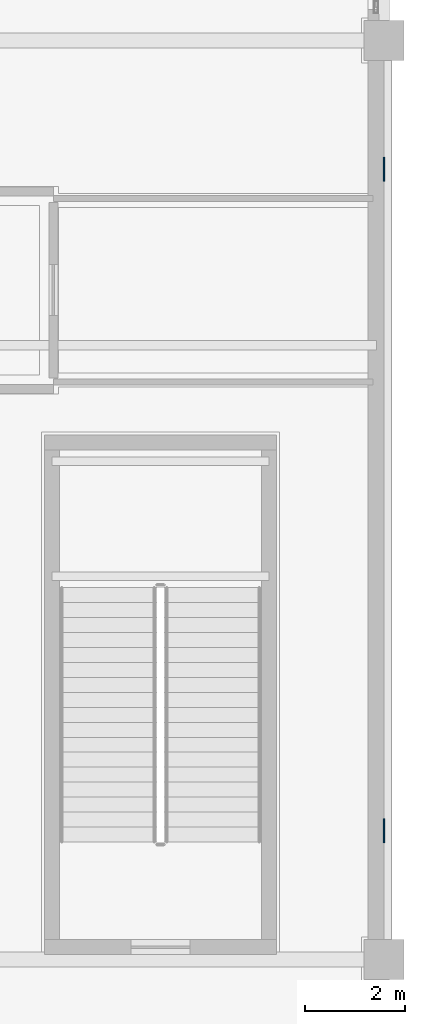
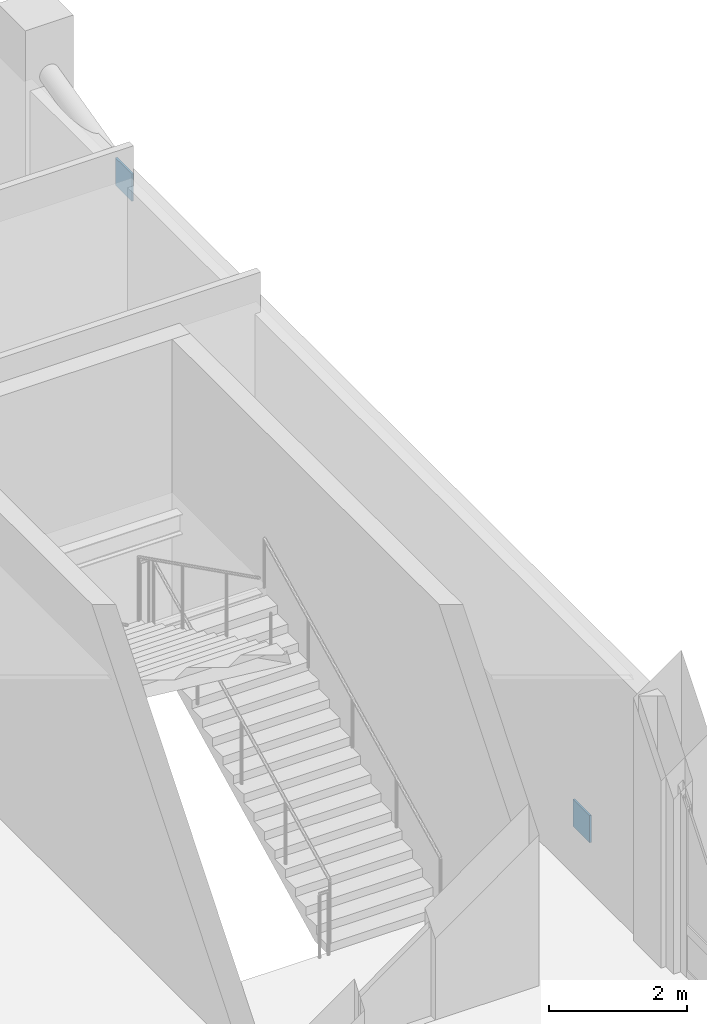
# One storey, part 22 of 35: 2 plates.
"""IFC4 building model written with IfcOpenShell, lengths in metres."""

from ifc_helpers import new_model, si_unit, direction, frame, origin, origin_2d, place, context, subcontext, project, spatial, rectangle, extrude, material, layer, layer_set, type_object, element, save


model = new_model("IFC4")

# Units and contexts
model_context = context("Model", 3, precision=1e-05, world=origin(), true_north=direction((0.0, 1.0)))
body_context = subcontext(model_context, "Body", "Model", "MODEL_VIEW")
ifc_project = project(units=[si_unit("LENGTHUNIT", "METRE"), si_unit("AREAUNIT", "SQUARE_METRE"), si_unit("VOLUMEUNIT", "CUBIC_METRE"), si_unit("PLANEANGLEUNIT", "RADIAN"), si_unit("MASSUNIT", "GRAM", prefix="KILO")], contexts=[model_context])

# Site, building, storey
site_placement = place(None, origin())
site = spatial("IfcSite", under=ifc_project, at=site_placement, CompositionType="ELEMENT")
building_placement = place(site_placement, origin())
building = spatial("IfcBuilding", under=site, at=building_placement, Name="Punatoya Terracotta Tower", CompositionType="ELEMENT")
storey_placement = place(building_placement, frame((0.0, 0.0, 16.800048828125)))
storey = spatial("IfcBuildingStorey", under=building, at=storey_placement, Name="L03", CompositionType="ELEMENT", Elevation=16.800048828125)

# Plates
ifc_material = material(Name="Steel S460", Category="steel")
ifc_layer = layer(ifc_material, 0.031982421875)
ifc_layer_set = layer_set([ifc_layer], Name="Steel S460")
plate_type = type_object("IfcPlateType", Name="PLT-END-32", PredefinedType="USERDEFINED", material=ifc_layer_set)
for number, where, z_axis, x_axis, name in (
    (1, (37.0, -6.6240234375, 0.421142578125), (0.0, 0.0, 1.0), (1.0, 0.0, 0.0), "L03 Podium Brace PBR-2 End Connection Plate 1"),
    (2, (37.0, 6.6240234375, 3.71875), (0.0, 0.0, 1.0), (1.0, 0.0, 0.0), "L03 Podium Brace PBR-2 End Connection Plate 2"),
):
    element("IfcPlate", number, at=place(storey_placement, frame(where, z_axis=z_axis, x_axis=x_axis)), inside=storey, type_object=plate_type, Name=name, ObjectType="FLANGE_PLATE", PredefinedType="USERDEFINED", context=body_context, shape_type="SweptSolid", body=[
        extrude(rectangle(XDim=0.031982421875, YDim=0.47998046875, at=origin_2d()), origin(), (0.0, 0.0, 1.0), 0.47998046875),
    ])

save(model, "model.ifc")
